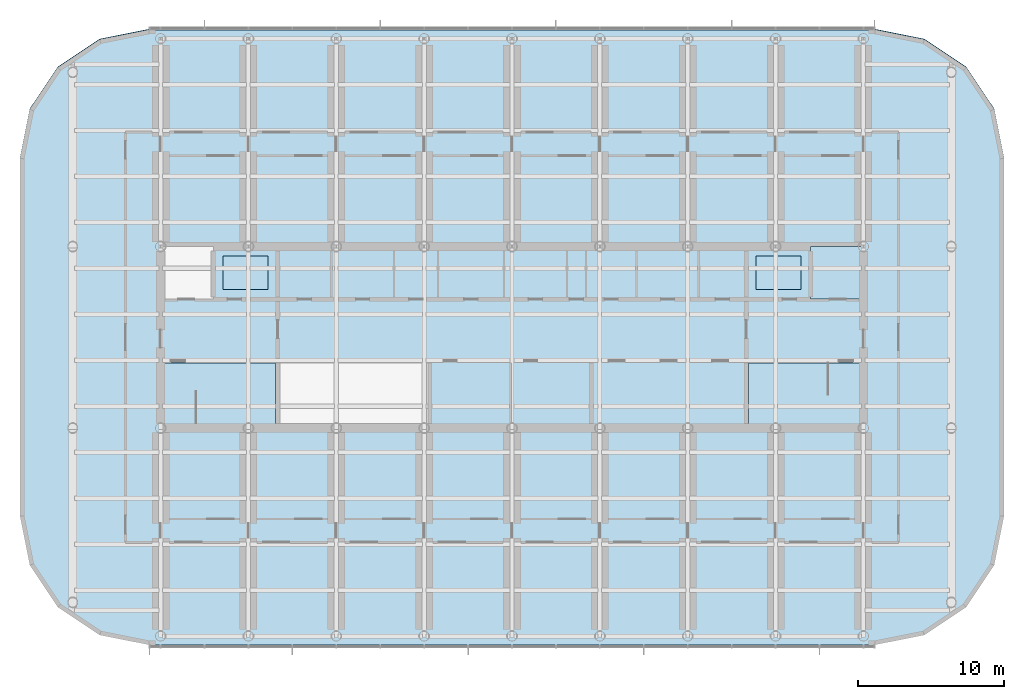
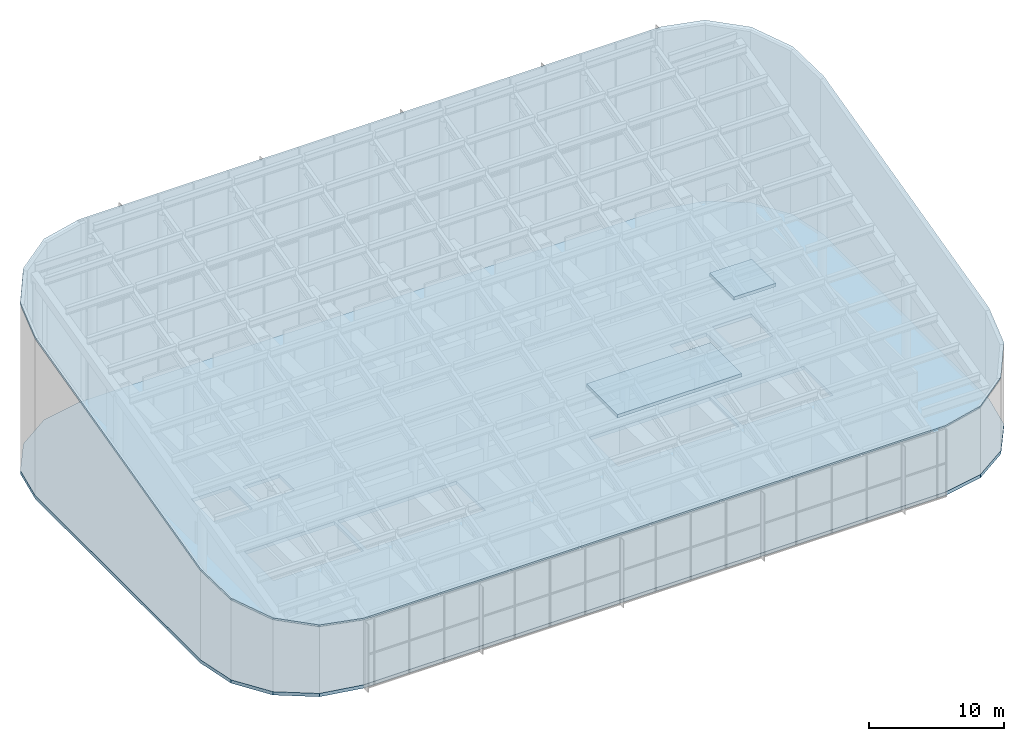
# One storey, part 7 of 14: 4 slabs.
"""IFC4 building model written with IfcOpenShell, lengths in metres."""

from ifc_helpers import new_model, si_unit, direction, frame, origin, place, context, subcontext, project, spatial, polyline, outline, extrude, material, layer, layer_set, type_object, element, save


model = new_model("IFC4")

# Units and contexts
model_context = context("Model", 3, precision=1e-05, world=origin(), true_north=direction((0.0, 1.0)))
body_context = subcontext(model_context, "Body", "Model", "MODEL_VIEW")
ifc_project = project(units=[si_unit("LENGTHUNIT", "METRE"), si_unit("AREAUNIT", "SQUARE_METRE"), si_unit("VOLUMEUNIT", "CUBIC_METRE"), si_unit("PLANEANGLEUNIT", "RADIAN"), si_unit("MASSUNIT", "GRAM", prefix="KILO")], contexts=[model_context])

# Site, building, storey
site_placement = place(None, origin())
site = spatial("IfcSite", under=ifc_project, at=site_placement, CompositionType="ELEMENT")
building_placement = place(site_placement, origin())
building = spatial("IfcBuilding", under=site, at=building_placement, Name="Orbita Commons", CompositionType="ELEMENT")
storey_placement = place(building_placement, frame((0.0, 0.0, 262.300048828125)))
storey = spatial("IfcBuildingStorey", under=building, at=storey_placement, Name="L65", CompositionType="ELEMENT", Elevation=262.300048828125)

# Slabs
ifc_material_1 = material(Name="Concrete C40/50", Category="concrete")
ifc_layer_1 = layer(ifc_material_1, 0.199951171875)
ifc_layer_set_1 = layer_set([ifc_layer_1], Name="Concrete C40/50")
slab_type_1 = type_object("IfcSlabType", Name="Crown roof deck 200", PredefinedType="ROOF", material=ifc_layer_set_1)
slab_1_placement = place(storey_placement, frame((66.800048828125, 11.0, 6.0), z_axis=(0.0, -0.241919938864, 0.970296214143), x_axis=(0.979624676471, 0.194871363076, 0.048586470352)))
element("IfcSlab", 1, at=slab_1_placement, inside=storey, type_object=slab_type_1, Name="Crown roof deck", PredefinedType="ROOF", context=body_context, shape_type="SweptSolid", body=[
    extrude(outline(polyline([(0.0, 0.0), (3.437720447570163, 1.3183898417423734e-16), (6.629109057418229, 1.3524735528875458), (9.08889692101771, 3.8517843963469764), (10.442225672494034, 7.1172804196864705), (15.492643503735003, 31.75175704973104), (15.533428255095364, 35.28634324787008), (14.255527045478326, 38.551933473940174), (11.853775351625243, 41.05108028263351), (8.693379203860276, 42.40378796163676), (-39.89610041559293, 52.365321870642816), (-43.333820863163105, 52.365321870642816), (-46.52520947301117, 51.01284831775527), (-48.984997336610654, 48.51353747429584), (-50.33832608808698, 45.24804145095635), (-55.38874391932795, 20.613564820911773), (-55.429528670688306, 17.078978622772738), (-54.151627461071264, 13.813388396702647), (-51.74987576721818, 11.31424158800931), (-48.589479619453215, 9.961533909006057), (0.0, 0.0)])), origin(), (0.0, 0.0, -1.0), 0.199951171875),
])
ifc_material_2 = material(Name="Concrete C40/50", Category="concrete")
ifc_layer_2 = layer(ifc_material_2, 0.300048828125)
ifc_layer_set_2 = layer_set([ifc_layer_2], Name="Concrete C40/50")
slab_type_2 = type_object("IfcSlabType", Name="Floor slab 300", PredefinedType="FLOOR", material=ifc_layer_set_2)
slab_2_placement = place(storey_placement, frame((0.0, 0.0, -0.300048828125)))
element("IfcSlab", 2, at=slab_2_placement, inside=storey, type_object=slab_type_2, Name="Floor slab L65", PredefinedType="FLOOR", context=body_context, shape_type="SweptSolid", body=[
    extrude(outline(polyline([(66.800048828125, 11.0), (70.167724609375, 11.669921875), (73.0224609375, 13.577392578125), (74.93017578125, 16.432373046875), (75.60009765625, 19.800048828125), (75.60009765625, 44.199951171875), (74.93017578125, 47.567626953125), (73.0224609375, 50.422607421875), (70.167724609375, 52.330078125), (66.800048828125, 53.0), (17.199951171875, 53.0), (13.832275390625, 52.330078125), (10.9775390625, 50.422607421875), (9.06982421875, 47.567626953125), (8.39990234375, 44.199951171875), (8.39990234375, 19.800048828125), (9.06982421875, 16.432373046875), (10.9775390625, 13.577392578125), (13.832275390625, 11.669921875), (17.199951171875, 11.0), (66.800048828125, 11.0)]), holes=[polyline([(18.14990234375, 25.949951171875), (25.85009765625, 25.949951171875), (25.85009765625, 30.25), (18.14990234375, 30.25), (18.14990234375, 25.949951171875)]), polyline([(58.14990234375, 25.949951171875), (65.85009765625, 25.949951171875), (65.85009765625, 30.25), (58.14990234375, 30.25), (58.14990234375, 25.949951171875)]), polyline([(18.14990234375, 34.75), (21.449951171875, 34.75), (21.449951171875, 38.050048828125), (18.14990234375, 38.050048828125), (18.14990234375, 34.75)]), polyline([(62.550048828125, 34.75), (65.85009765625, 34.75), (65.85009765625, 38.050048828125), (62.550048828125, 38.050048828125), (62.550048828125, 34.75)]), polyline([(22.25, 35.25), (25.35009765625, 35.25), (25.35009765625, 37.550048828125), (22.25, 37.550048828125), (22.25, 35.25)]), polyline([(58.64990234375, 35.25), (61.75, 35.25), (61.75, 37.550048828125), (58.64990234375, 37.550048828125), (58.64990234375, 35.25)]), polyline([(26.14990234375, 25.949951171875), (36.25, 25.949951171875), (36.25, 30.25), (26.14990234375, 30.25), (26.14990234375, 25.949951171875)]), polyline([(47.550048828125, 25.949951171875), (57.85009765625, 25.949951171875), (57.85009765625, 30.25), (47.550048828125, 30.25), (47.550048828125, 25.949951171875)])]), origin(), (0.0, 0.0, 1.0), 0.300048828125),
])
ifc_material_3 = material(Name="Concrete C40/50", Category="concrete")
ifc_layer_3 = layer(ifc_material_3, 0.300048828125)
ifc_layer_set_3 = layer_set([ifc_layer_3], Name="Concrete C40/50")
slab_type_3 = type_object("IfcSlabType", Name="Lift overrun roof 300", PredefinedType="ROOF", material=ifc_layer_set_3)
slab_3_placement = place(storey_placement, frame((0.0, 0.0, 4.5)))
element("IfcSlab", 3, at=slab_3_placement, inside=storey, type_object=slab_type_3, Name="Lift overrun roof service", PredefinedType="ROOF", context=body_context, shape_type="SweptSolid", body=[
    extrude(outline(polyline([(47.39990234375, 25.800048828125), (58.0, 25.800048828125), (58.0, 30.39990234375), (47.39990234375, 30.39990234375), (47.39990234375, 25.800048828125)])), origin(), (0.0, 0.0, 1.0), 0.300048828125),
])
slab_4_placement = place(storey_placement, frame((0.0, 0.0, 4.5)))
element("IfcSlab", 4, at=slab_4_placement, inside=storey, type_object=slab_type_3, Name="Lift overrun roof FL2", PredefinedType="ROOF", context=body_context, shape_type="SweptSolid", body=[
    extrude(outline(polyline([(62.39990234375, 34.60009765625), (66.0, 34.60009765625), (66.0, 38.199951171875), (62.39990234375, 38.199951171875), (62.39990234375, 34.60009765625)])), origin(), (0.0, 0.0, 1.0), 0.300048828125),
])

save(model, "model.ifc")
